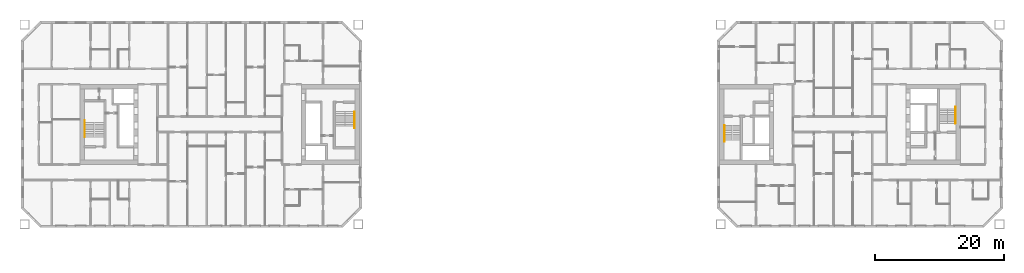
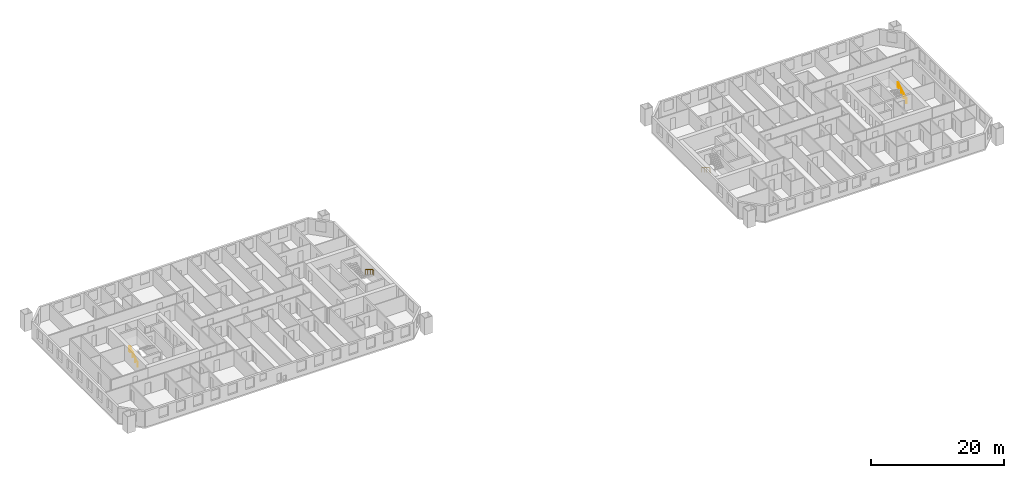
# One storey, part 16 of 16: 4 railings.
"""IFC4 building model written with IfcOpenShell, lengths in metres."""

from ifc_helpers import new_model, si_unit, direction, frame, origin, origin_2d, place, context, subcontext, project, spatial, circle, extrude, material, type_object, element, save


model = new_model("IFC4")

# Units and contexts
model_context = context("Model", 3, precision=1e-05, world=origin(), true_north=direction((0.0, 1.0)))
body_context = subcontext(model_context, "Body", "Model", "MODEL_VIEW")
ifc_project = project(units=[si_unit("LENGTHUNIT", "METRE"), si_unit("AREAUNIT", "SQUARE_METRE"), si_unit("VOLUMEUNIT", "CUBIC_METRE"), si_unit("PLANEANGLEUNIT", "RADIAN"), si_unit("MASSUNIT", "GRAM", prefix="KILO")], contexts=[model_context])

# Site, building, storey
site_placement = place(None, origin())
site = spatial("IfcSite", under=ifc_project, at=site_placement, CompositionType="ELEMENT")
building_placement = place(site_placement, origin())
building = spatial("IfcBuilding", under=site, at=building_placement, Name="Tuart Gate Housing", CompositionType="ELEMENT")
storey_placement = place(building_placement, frame((0.0, 0.0, 87.10009765625)))
storey = spatial("IfcBuildingStorey", under=building, at=storey_placement, Name="L24", CompositionType="ELEMENT", Elevation=87.10009765625)

# Railings
ifc_material = material(Name="Stainless steel", Category="steel")
railing_type = type_object("IfcRailingType", Name="Stair handrail 900", PredefinedType="HANDRAIL", material=ifc_material)
railing_1_placement = place(storey_placement, frame((74.8798828125, 71.949951171875, 0.172119140625)))
element("IfcRailing", 1, at=railing_1_placement, inside=storey, type_object=railing_type, Name="Stair handrail SA1.1", PredefinedType="HANDRAIL", context=body_context, shape_type="SweptSolid", body=[
    extrude(circle(Radius=0.02392578125, at=origin_2d()), frame((0.0, 0.0, 0.8759765625), z_axis=(0.0, -0.85178898068, 0.523885037382), x_axis=(1.0, 0.0, 0.0)), (0.0, 0.0, 1.0), 2.629638671875),
    extrude(circle(Radius=0.02392578125, at=origin_2d()), frame((0.0, -2.239990234375, 2.25341796875), z_axis=(0.0, -1.0, 0.0), x_axis=(1.0, 0.0, 0.0)), (0.0, 0.0, 1.0), 0.300048828125),
    extrude(circle(Radius=0.02099609375, at=origin_2d()), origin(), (0.0, 0.0, 1.0), 0.851806640625),
    extrude(circle(Radius=0.02099609375, at=origin_2d()), frame((0.0, -0.74658203125, 0.459228515625)), (0.0, 0.0, 1.0), 0.851806640625),
    extrude(circle(Radius=0.02099609375, at=origin_2d()), frame((0.0, -1.493408203125, 0.91845703125)), (0.0, 0.0, 1.0), 0.851806640625),
    extrude(circle(Radius=0.02099609375, at=origin_2d()), frame((0.0, -2.239990234375, 1.377685546875)), (0.0, 0.0, 1.0), 0.851806640625),
    extrude(circle(Radius=0.02099609375, at=origin_2d()), frame((0.0, -2.5400390625, 1.377685546875)), (0.0, 0.0, 1.0), 0.851806640625),
])
railing_2_placement = place(storey_placement, frame((33.1201171875, 68.050048828125, 0.172119140625)))
element("IfcRailing", 2, at=railing_2_placement, inside=storey, type_object=railing_type, Name="Stair handrail SA2.1", PredefinedType="HANDRAIL", context=body_context, shape_type="SweptSolid", body=[
    extrude(circle(Radius=0.02392578125, at=origin_2d()), frame((0.0, 0.0, 0.8759765625), z_axis=(0.0, 0.85178898068, 0.523885037382), x_axis=(-1.0, 0.0, 0.0)), (0.0, 0.0, 1.0), 2.629638671875),
    extrude(circle(Radius=0.02392578125, at=origin_2d()), frame((0.0, 2.239990234375, 2.25341796875), z_axis=(0.0, 1.0, 0.0), x_axis=(-1.0, 0.0, 0.0)), (0.0, 0.0, 1.0), 0.300048828125),
    extrude(circle(Radius=0.02099609375, at=origin_2d()), origin(), (0.0, 0.0, 1.0), 0.851806640625),
    extrude(circle(Radius=0.02099609375, at=origin_2d()), frame((0.0, 0.74658203125, 0.459228515625)), (0.0, 0.0, 1.0), 0.851806640625),
    extrude(circle(Radius=0.02099609375, at=origin_2d()), frame((0.0, 1.493408203125, 0.91845703125)), (0.0, 0.0, 1.0), 0.851806640625),
    extrude(circle(Radius=0.02099609375, at=origin_2d()), frame((0.0, 2.239990234375, 1.377685546875)), (0.0, 0.0, 1.0), 0.851806640625),
    extrude(circle(Radius=0.02099609375, at=origin_2d()), frame((0.0, 2.5400390625, 1.377685546875)), (0.0, 0.0, 1.0), 0.851806640625),
])
railing_3_placement = place(storey_placement, frame((132.1201171875, 69.85009765625, 0.172119140625)))
element("IfcRailing", 3, at=railing_3_placement, inside=storey, type_object=railing_type, Name="Stair handrail SB1.1", PredefinedType="HANDRAIL", context=body_context, shape_type="SweptSolid", body=[
    extrude(circle(Radius=0.02392578125, at=origin_2d()), frame((0.0, 0.0, 0.8759765625), z_axis=(0.0, -0.85178898068, 0.523885037382), x_axis=(1.0, 0.0, 0.0)), (0.0, 0.0, 1.0), 2.629638671875),
    extrude(circle(Radius=0.02392578125, at=origin_2d()), frame((0.0, -2.239990234375, 2.25341796875), z_axis=(0.0, -1.0, 0.0), x_axis=(1.0, 0.0, 0.0)), (0.0, 0.0, 1.0), 0.300048828125),
    extrude(circle(Radius=0.02099609375, at=origin_2d()), origin(), (0.0, 0.0, 1.0), 0.851806640625),
    extrude(circle(Radius=0.02099609375, at=origin_2d()), frame((0.0, -0.74658203125, 0.459228515625)), (0.0, 0.0, 1.0), 0.851806640625),
    extrude(circle(Radius=0.02099609375, at=origin_2d()), frame((0.0, -1.493408203125, 0.91845703125)), (0.0, 0.0, 1.0), 0.851806640625),
    extrude(circle(Radius=0.02099609375, at=origin_2d()), frame((0.0, -2.239990234375, 1.377685546875)), (0.0, 0.0, 1.0), 0.851806640625),
    extrude(circle(Radius=0.02099609375, at=origin_2d()), frame((0.0, -2.5400390625, 1.377685546875)), (0.0, 0.0, 1.0), 0.851806640625),
])
railing_4_placement = place(storey_placement, frame((167.8798828125, 70.14990234375, 0.172119140625)))
element("IfcRailing", 4, at=railing_4_placement, inside=storey, type_object=railing_type, Name="Stair handrail SB2.1", PredefinedType="HANDRAIL", context=body_context, shape_type="SweptSolid", body=[
    extrude(circle(Radius=0.02392578125, at=origin_2d()), frame((0.0, 0.0, 0.8759765625), z_axis=(0.0, 0.85178898068, 0.523885037382), x_axis=(-1.0, 0.0, 0.0)), (0.0, 0.0, 1.0), 2.629638671875),
    extrude(circle(Radius=0.02392578125, at=origin_2d()), frame((0.0, 2.239990234375, 2.25341796875), z_axis=(0.0, 1.0, 0.0), x_axis=(-1.0, 0.0, 0.0)), (0.0, 0.0, 1.0), 0.300048828125),
    extrude(circle(Radius=0.02099609375, at=origin_2d()), origin(), (0.0, 0.0, 1.0), 0.851806640625),
    extrude(circle(Radius=0.02099609375, at=origin_2d()), frame((0.0, 0.74658203125, 0.459228515625)), (0.0, 0.0, 1.0), 0.851806640625),
    extrude(circle(Radius=0.02099609375, at=origin_2d()), frame((0.0, 1.493408203125, 0.91845703125)), (0.0, 0.0, 1.0), 0.851806640625),
    extrude(circle(Radius=0.02099609375, at=origin_2d()), frame((0.0, 2.239990234375, 1.377685546875)), (0.0, 0.0, 1.0), 0.851806640625),
    extrude(circle(Radius=0.02099609375, at=origin_2d()), frame((0.0, 2.5400390625, 1.377685546875)), (0.0, 0.0, 1.0), 0.851806640625),
])

save(model, "model.ifc")
